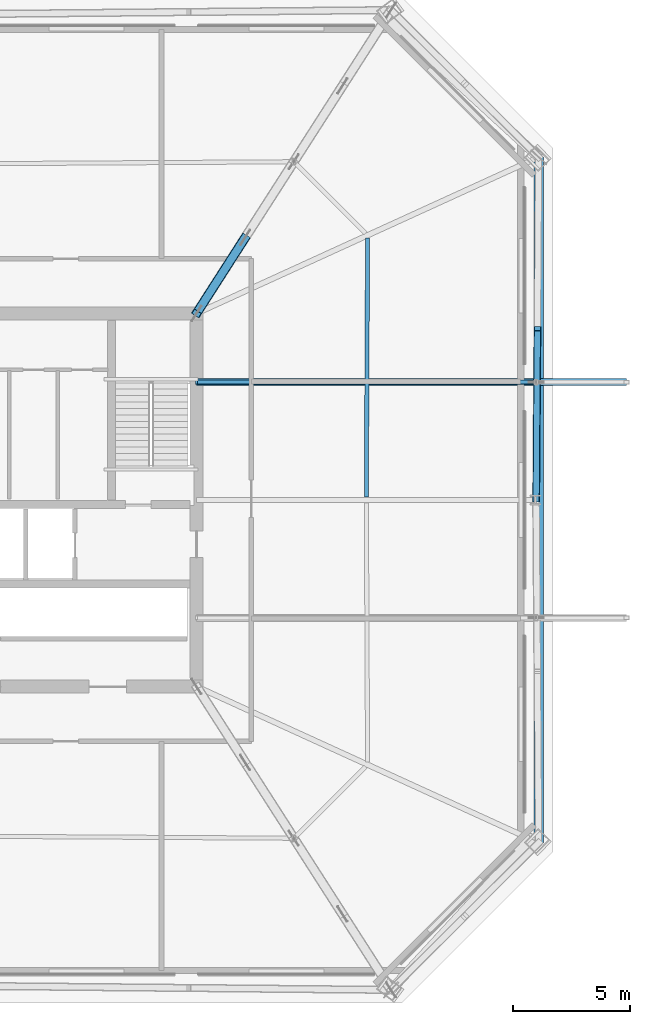
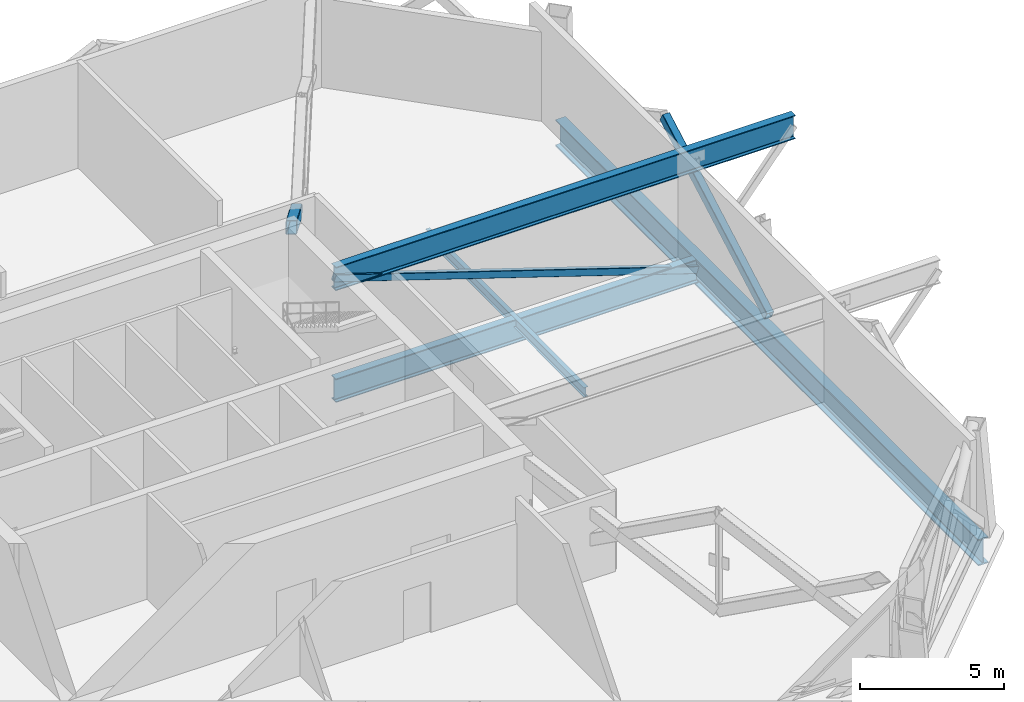
# One storey, part 5 of 15: 4 beams, 3 members.
"""IFC4 building model written with IfcOpenShell, lengths in metres."""

import ifcopenshell
import ifcopenshell.guid

model = None  # the IFC model being written
_history = None  # IfcOwnerHistory: only IFC2X3 demands one
_inside = {}  # id of a spatial element -> (the spatial element, [elements in it])
_under = {}  # id of a project, library or spatial element -> (it, [spatial elements below it])
_declared = {}  # id of a project -> (the project, [libraries it declares])
_typed = {}  # id of a type object -> (the type object, [elements of that type])
_made_of = {}  # id of a material, layer set ... -> (it, [elements and type objects made of it])


def new_model(schema):
    """Start an empty IFC model of exactly this schema.

    Asked for "IFC4X3", IfcOpenShell would pick the latest addendum, in which some entities
    have other attributes; the version numbers below select the first issue.
    IFC2X3 requires an IfcOwnerHistory on every rooted entity: one is made here for all.
    """
    global model, _history
    if schema == "IFC4X3":
        model = ifcopenshell.file(schema_version=(4, 3, 0, 0))
    else:
        model = ifcopenshell.file(schema=schema)
    _inside.clear()
    _under.clear()
    _declared.clear()
    _typed.clear()
    _made_of.clear()
    _history = None
    if model.schema == "IFC2X3":
        org = make("IfcOrganization", Name="unknown")
        user = make(
            "IfcPersonAndOrganization",
            ThePerson=make("IfcPerson", FamilyName="unknown"),
            TheOrganization=org,
        )
        app = make(
            "IfcApplication",
            ApplicationDeveloper=org,
            Version="unknown",
            ApplicationFullName="unknown",
            ApplicationIdentifier="unknown",
        )
        _history = make(
            "IfcOwnerHistory",
            OwningUser=user,
            OwningApplication=app,
            ChangeAction="ADDED",
            CreationDate=0,
        )
    return model


def make(cls, **values):
    """One entity of the class cls with the attributes given. An attribute that is None is left unset."""
    return model.create_entity(
        cls, **{name: value for name, value in values.items() if value is not None}
    )


def rooted(cls, **values):
    """An entity with a GlobalId (a new one), such as an element, a storey or a relation."""
    return make(cls, GlobalId=ifcopenshell.guid.new(), OwnerHistory=_history, **values)


def si_unit(unit_type, name, prefix=None):
    """IfcSIUnit, for example si_unit("LENGTHUNIT", "METRE", prefix="MILLI")."""
    return make("IfcSIUnit", UnitType=unit_type, Prefix=prefix, Name=name)


def assignment(units):
    """IfcUnitAssignment: the units of a project."""
    return None if units is None else make("IfcUnitAssignment", Units=units)


def point(xyz):
    """IfcCartesianPoint."""
    return None if xyz is None else make("IfcCartesianPoint", Coordinates=xyz)


def direction(xyz):
    """IfcDirection."""
    return None if xyz is None else make("IfcDirection", DirectionRatios=xyz)


def frame(location, z_axis=None, x_axis=None):
    """IfcAxis2Placement3D, a coordinate frame: its origin and axes. An axis left out is left unset."""
    return make(
        "IfcAxis2Placement3D",
        Location=point(location),
        Axis=direction(z_axis),
        RefDirection=direction(x_axis),
    )


def frame_2d(location, x_axis=None):
    """IfcAxis2Placement2D, a coordinate frame in the plane: its origin and x axis."""
    return make(
        "IfcAxis2Placement2D", Location=point(location), RefDirection=direction(x_axis)
    )


def origin():
    """The frame at (0, 0, 0) with its axes left unset."""
    return frame((0.0, 0.0, 0.0))


def origin_2d():
    """The frame at (0, 0) in the plane with its x axis left unset."""
    return frame_2d((0.0, 0.0))


def place(relative_to, where):
    """IfcLocalPlacement: puts the frame where relative to a parent placement (None: the world)."""
    return make(
        "IfcLocalPlacement", PlacementRelTo=relative_to, RelativePlacement=where
    )


def context(
    kind, dimensions, precision=None, world=None, true_north=None, identifier=None
):
    """IfcGeometricRepresentationContext, for example the 3D "Model" context."""
    return make(
        "IfcGeometricRepresentationContext",
        ContextIdentifier=identifier,
        ContextType=kind,
        CoordinateSpaceDimension=dimensions,
        Precision=precision,
        WorldCoordinateSystem=world,
        TrueNorth=true_north,
    )


def subcontext(parent, identifier, kind, view, scale=None):
    """IfcGeometricRepresentationSubContext, for example "Body" below "Model"."""
    return make(
        "IfcGeometricRepresentationSubContext",
        ContextIdentifier=identifier,
        ContextType=kind,
        ParentContext=parent,
        TargetScale=scale,
        TargetView=view,
    )


def project(units=None, contexts=None):
    """IfcProject with its units and contexts."""
    return rooted(
        "IfcProject",
        Name="project",
        RepresentationContexts=contexts,
        UnitsInContext=assignment(units),
    )


def spatial(cls, under=None, at=None, **own):
    """A site, building, storey or space (cls), placed at a placement, below another one or the project."""
    s = rooted(cls, ObjectPlacement=at, **own)
    if under is not None:
        _under.setdefault(under.id(), (under, []))[1].append(s)
    return s


def profile(cls, at=None, kind="AREA", **sizes):
    """A parametric profile (cls). Its sizes go by their IFC names, for example OverallWidth=200.0."""
    return make(cls, ProfileType=kind, Position=at, **sizes)


def hollow_rectangle(**sizes):
    """IfcRectangleHollowProfileDef."""
    return profile("IfcRectangleHollowProfileDef", **sizes)


def i_section(**sizes):
    """IfcIShapeProfileDef."""
    return profile("IfcIShapeProfileDef", **sizes)


def extrude(swept, where, along, depth):
    """IfcExtrudedAreaSolid: the profile swept, set in the frame where, extruded along a direction by depth."""
    return make(
        "IfcExtrudedAreaSolid",
        SweptArea=swept,
        Position=where,
        ExtrudedDirection=direction(along),
        Depth=depth,
    )


def shape(context_of_items, identifier, shape_type, items):
    """IfcShapeRepresentation: the items that make up one representation, for example the "Body"."""
    return make(
        "IfcShapeRepresentation",
        ContextOfItems=context_of_items,
        RepresentationIdentifier=identifier,
        RepresentationType=shape_type,
        Items=items,
    )


def material(Name=None, Category=None):
    """IfcMaterial."""
    return make("IfcMaterial", Name=Name, Category=Category)


def material_profile(
    of_material, cross_section, Name=None, Category=None, Priority=None
):
    """IfcMaterialProfile: a cross section and its material."""
    return make(
        "IfcMaterialProfile",
        Name=Name,
        Material=of_material,
        Profile=cross_section,
        Priority=Priority,
        Category=Category,
    )


def profile_set(profiles, Name=None, composite=None):
    """IfcMaterialProfileSet."""
    return make(
        "IfcMaterialProfileSet",
        Name=Name,
        MaterialProfiles=profiles,
        CompositeProfile=composite,
    )


def made_of(thing, what):
    """Note that an element or type object is made of a material, layer set ...; save() writes the relation."""
    if what is not None:
        _made_of.setdefault(what.id(), (what, []))[1].append(thing)
    return thing


def type_object(cls, material=None, **own):
    """A type object (cls), such as IfcWallType, which elements share."""
    return made_of(rooted(cls, **own), material)


def element(
    cls,
    number,
    at=None,
    inside=None,
    cuts=None,
    type_object=None,
    material=None,
    context=None,
    identifier="Body",
    shape_type=None,
    held_by="IfcProductDefinitionShape",
    body=None,
    shapes=None,
    **own,
):
    """One element of the class cls, such as IfcWall. Its Tag is "e" and its number.

    at: its placement. inside: the storey or other place that contains it. cuts: it is an
    opening in that element (IfcRelVoidsElement). A single representation is given by context,
    identifier, shape_type and body (its items); several are given by shapes. held_by: the class
    of the entity that holds the representations. save() writes the other relations.
    """
    e = rooted(cls, Tag="e%d" % number, ObjectPlacement=at, **own)
    if body is not None:
        shapes = [shape(context, identifier, shape_type, body)]
    if shapes is not None:
        e.Representation = make(held_by, Representations=shapes)
    if inside is not None:
        _inside.setdefault(inside.id(), (inside, []))[1].append(e)
    if cuts is not None:
        rooted(
            "IfcRelVoidsElement", RelatingBuildingElement=cuts, RelatedOpeningElement=e
        )
    if type_object is not None:
        _typed.setdefault(type_object.id(), (type_object, []))[1].append(e)
    return made_of(e, material)


def aggregate(whole, parts):
    """IfcRelAggregates: a whole, such as a stair, and the parts it consists of."""
    return rooted("IfcRelAggregates", RelatingObject=whole, RelatedObjects=parts)


def save(model, path):
    """Write the relations noted so far, then the file.

    IfcRelAggregates (storeys below a building ...), IfcRelContainedInSpatialStructure (elements
    in a storey), IfcRelDefinesByType, IfcRelAssociatesMaterial and IfcRelDeclares: one each for
    every whole, place, type object, material and project.
    """
    for whole, parts in _under.values():
        aggregate(whole, parts)
    for where, things in _inside.values():
        rooted(
            "IfcRelContainedInSpatialStructure",
            RelatedElements=things,
            RelatingStructure=where,
        )
    for kind, things in _typed.values():
        rooted("IfcRelDefinesByType", RelatedObjects=things, RelatingType=kind)
    for what, things in _made_of.values():
        rooted("IfcRelAssociatesMaterial", RelatedObjects=things, RelatingMaterial=what)
    for by, libraries in _declared.values():
        rooted("IfcRelDeclares", RelatingContext=by, RelatedDefinitions=libraries)
    model.write(path)


model = new_model("IFC4")

# Units and contexts
model_context = context("Model", 3, precision=1e-05, world=origin(), true_north=direction((0.0, 1.0)))
body_context = subcontext(model_context, "Body", "Model", "MODEL_VIEW")
ifc_project = project(units=[si_unit("LENGTHUNIT", "METRE"), si_unit("AREAUNIT", "SQUARE_METRE"), si_unit("VOLUMEUNIT", "CUBIC_METRE"), si_unit("PLANEANGLEUNIT", "RADIAN"), si_unit("MASSUNIT", "GRAM", prefix="KILO")], contexts=[model_context])

# Site, building, storey
site_placement = place(None, origin())
site = spatial("IfcSite", under=ifc_project, at=site_placement, CompositionType="ELEMENT")
building_placement = place(site_placement, origin())
building = spatial("IfcBuilding", under=site, at=building_placement, Name="Caelvoria Tower", CompositionType="ELEMENT")
storey_placement = place(building_placement, frame((0.0, 0.0, 167.199951171875)))
storey = spatial("IfcBuildingStorey", under=building, at=storey_placement, Name="L44", CompositionType="ELEMENT", Elevation=167.199951171875)

# Members
ifc_material_1 = material(Name="Structural Steel ASTM A572 Gr.50", Category="steel")
ifc_material_profile_1 = material_profile(ifc_material_1, hollow_rectangle(XDim=0.300048828125, YDim=0.39990234375, WallThickness=0.01611328125, InnerFilletRadius=0.01611328125, OuterFilletRadius=0.031982421875, at=origin_2d()), Name="Structural Steel ASTM A572 Gr.50")
ifc_profile_set_1 = profile_set([ifc_material_profile_1], Name="HSS400X300X16 - Structural Steel ASTM A572 Gr.50")
member_type_1 = type_object("IfcMemberType", Name="Belt Truss Diagonal HSS400X300X16", PredefinedType="BRACE", material=ifc_profile_set_1)
member_1_placement = place(storey_placement, frame((69.56005859375, 32.0, 0.25), z_axis=(0.006484203153, 0.879339730318, 0.476150809926), x_axis=(-0.999972813573, 0.007373744922, 0.0)))
element("IfcMember", 1, at=member_1_placement, inside=storey, type_object=member_type_1, Name="Belt Truss Diagonal L44-04A", PredefinedType="BRACE", context=body_context, shape_type="SweptSolid", body=[
    extrude(hollow_rectangle(XDim=0.300048828125, YDim=0.39990234375, WallThickness=0.01611328125, InnerFilletRadius=0.01611328125, OuterFilletRadius=0.031982421875, at=origin_2d()), origin(), (0.0, 0.0, 1.0), 8.358642578125),
])
ifc_material_profile_2 = material_profile(ifc_material_1, hollow_rectangle(XDim=0.39990234375, YDim=0.5, WallThickness=0.02197265625, InnerFilletRadius=0.02197265625, OuterFilletRadius=0.0439453125, at=origin_2d()), Name="Structural Steel ASTM A572 Gr.50")
ifc_profile_set_2 = profile_set([ifc_material_profile_2], Name="HSS500X400X22 - Structural Steel ASTM A572 Gr.50")
member_type_2 = type_object("IfcMemberType", Name="Outrigger Diagonal HSS500X400X22", PredefinedType="BRACE", material=ifc_profile_set_2)
member_2_placement = place(storey_placement, frame((55.0, 40.0, 4.22998046875), z_axis=(0.479958044206, 0.748255827054, -0.457988529422), x_axis=(-0.841722265045, 0.539910759782, 0.0)))
element("IfcMember", 2, at=member_2_placement, inside=storey, type_object=member_type_2, Name="Outrigger Truss Diagonal L44-NE-1B1", PredefinedType="BRACE", context=body_context, shape_type="SweptSolid", body=[
    extrude(hollow_rectangle(XDim=0.39990234375, YDim=0.5, WallThickness=0.02197265625, InnerFilletRadius=0.02197265625, OuterFilletRadius=0.0439453125, at=origin_2d()), origin(), (0.0, 0.0, 1.0), 4.344970703125),
])

# Beams
ifc_material_2 = material(Name="Structural Steel ASTM A913 Gr.65", Category="steel")
ifc_material_profile_3 = material_profile(ifc_material_2, i_section(OverallWidth=0.405029296875, OverallDepth=1.117919921875, WebThickness=0.029541015625, FlangeThickness=0.05078125, FilletRadius=0.028076171875, at=origin_2d()), Name="Structural Steel ASTM A913 Gr.65")
ifc_profile_set_3 = profile_set([ifc_material_profile_3], Name="W1100X499 - Structural Steel ASTM A913 Gr.65")
beam_type_1 = type_object("IfcBeamType", Name="Podium Transfer Girder W1100X499", PredefinedType="BEAM", material=ifc_profile_set_3)
beam_1_placement = place(storey_placement, frame((69.66845703125, 17.2998046875, -0.8798828125), z_axis=(0.0, 1.0, 0.0), x_axis=(-1.0, 0.0, 0.0)))
element("IfcBeam", 3, at=beam_1_placement, inside=storey, type_object=beam_type_1, Name="Sky Pool Fulcrum Transfer Girder L44", PredefinedType="BEAM", context=body_context, shape_type="SweptSolid", body=[
    extrude(i_section(OverallWidth=0.405029296875, OverallDepth=1.117919921875, WebThickness=0.029541015625, FlangeThickness=0.05078125, FilletRadius=0.028076171875, at=origin_2d()), origin(), (0.0, 0.0, 1.0), 29.400390625),
])
ifc_material_3 = material(Name="Structural Steel ASTM A992 Gr.50", Category="steel")
ifc_material_profile_4 = material_profile(ifc_material_3, i_section(OverallWidth=0.177978515625, OverallDepth=0.406982421875, WebThickness=0.0078125, FlangeThickness=0.0126953125, FilletRadius=0.013916015625, at=origin_2d()), Name="Structural Steel ASTM A992 Gr.50")
ifc_profile_set_4 = profile_set([ifc_material_profile_4], Name="W410X60 - Structural Steel ASTM A992 Gr.50")
beam_type_2 = type_object("IfcBeamType", Name="Secondary Floor Beam W410X60", PredefinedType="BEAM", material=ifc_profile_set_4)
beam_2_placement = place(storey_placement, frame((62.280517578125, 32.125, -0.5234375), z_axis=(0.004772742895, 0.999988610398, 0.0), x_axis=(-0.999988610398, 0.004772742895, 0.0)))
element("IfcBeam", 4, at=beam_2_placement, inside=storey, type_object=beam_type_2, Name="Secondary Floor Beam L44-04", PredefinedType="BEAM", context=body_context, shape_type="SweptSolid", body=[
    extrude(i_section(OverallWidth=0.177978515625, OverallDepth=0.406982421875, WebThickness=0.0078125, FlangeThickness=0.0126953125, FilletRadius=0.013916015625, at=origin_2d()), origin(), (0.0, 0.0, 1.0), 11.100341796875),
])
ifc_material_profile_5 = material_profile(ifc_material_2, i_section(OverallWidth=0.300048828125, OverallDepth=1.0, WebThickness=0.02099609375, FlangeThickness=0.035888671875, FilletRadius=0.02490234375, at=origin_2d()), Name="Structural Steel ASTM A913 Gr.65")
ifc_profile_set_5 = profile_set([ifc_material_profile_5], Name="W1000X371 - Structural Steel ASTM A913 Gr.65")
beam_type_3 = type_object("IfcBeamType", Name="Sky Pool Cantilever Chord W1000X371", PredefinedType="BEAM", material=ifc_profile_set_5)
beam_3_placement = place(storey_placement, frame((55.0, 37.050048828125, 3.9150390625), z_axis=(1.0, 0.0, 0.0), x_axis=(0.0, 1.0, 0.0)))
element("IfcBeam", 5, at=beam_3_placement, inside=storey, type_object=beam_type_3, Name="Sky Pool Cantilever Top Chord N", PredefinedType="BEAM", context=body_context, shape_type="SweptSolid", body=[
    extrude(i_section(OverallWidth=0.300048828125, OverallDepth=1.0, WebThickness=0.02099609375, FlangeThickness=0.035888671875, FilletRadius=0.02490234375, at=origin_2d()), origin(), (0.0, 0.0, 1.0), 18.43994140625),
])
beam_4_placement = place(storey_placement, frame((55.0, 37.050048828125, -0.824951171875), z_axis=(1.0, 0.0, 0.0), x_axis=(0.0, 1.0, 0.0)))
element("IfcBeam", 6, at=beam_4_placement, inside=storey, type_object=beam_type_3, Name="Sky Pool Cantilever Bottom Chord N", PredefinedType="BEAM", context=body_context, shape_type="SweptSolid", body=[
    extrude(i_section(OverallWidth=0.300048828125, OverallDepth=1.0, WebThickness=0.02099609375, FlangeThickness=0.035888671875, FilletRadius=0.02490234375, at=origin_2d()), origin(), (0.0, 0.0, 1.0), 14.56005859375),
])

# Member
ifc_material_profile_6 = material_profile(ifc_material_1, hollow_rectangle(XDim=0.199951171875, YDim=0.300048828125, WallThickness=0.012451171875, InnerFilletRadius=0.012451171875, OuterFilletRadius=0.02490234375, at=origin_2d()), Name="Structural Steel ASTM A572 Gr.50")
ifc_profile_set_6 = profile_set([ifc_material_profile_6], Name="HSS300X200X12.5 - Structural Steel ASTM A572 Gr.50")
member_type_3 = type_object("IfcMemberType", Name="Sky Pool Truss Diagonal HSS300X200X12.5", PredefinedType="BRACE", material=ifc_profile_set_6)
member_3_placement = place(storey_placement, frame((55.0, 37.050048828125, 3.9150390625), z_axis=(0.950880927397, 0.0, -0.309556879932), x_axis=(0.0, 1.0, 0.0)))
element("IfcMember", 7, at=member_3_placement, inside=storey, type_object=member_type_3, Name="Sky Pool Back-Span Diagonal N", PredefinedType="BRACE", context=body_context, shape_type="SweptSolid", body=[
    extrude(hollow_rectangle(XDim=0.199951171875, YDim=0.300048828125, WallThickness=0.012451171875, InnerFilletRadius=0.012451171875, OuterFilletRadius=0.02490234375, at=origin_2d()), origin(), (0.0, 0.0, 1.0), 15.312255859375),
])

save(model, "model.ifc")
